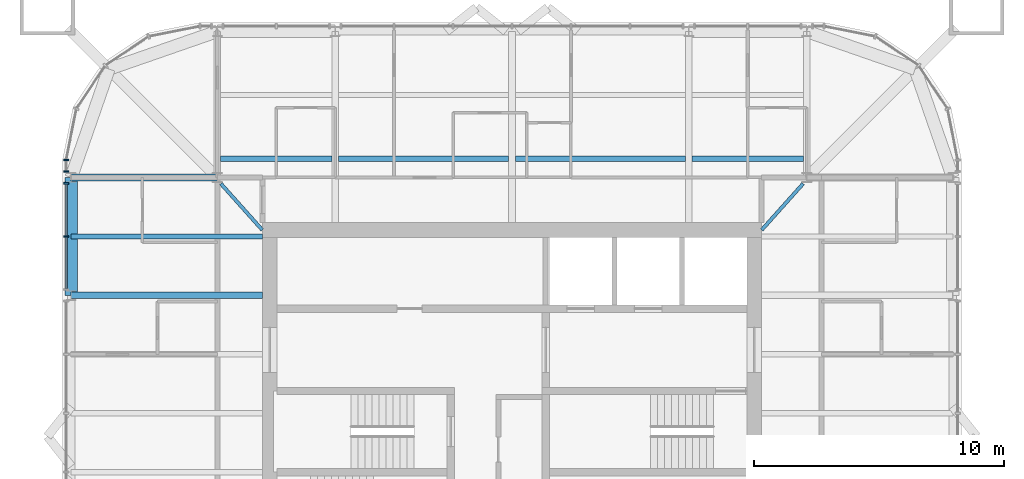
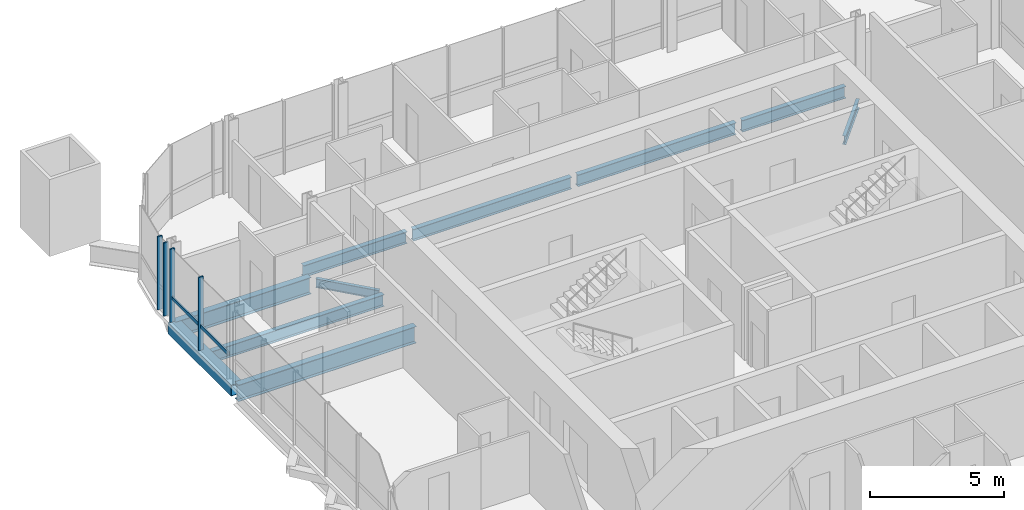
# One storey, part 4 of 17: 10 beams, 6 members, 2 elements without a shape of their own.
"""IFC4 building model written with IfcOpenShell, lengths in metres."""

from ifc_helpers import new_model, si_unit, direction, frame, origin, origin_2d, place, context, subcontext, project, spatial, rectangle, hollow_rectangle, i_section, extrude, material, material_profile, profile_set, type_object, element, aggregate, save


model = new_model("IFC4")

# Units and contexts
model_context = context("Model", 3, precision=1e-05, world=origin(), true_north=direction((0.0, 1.0)))
body_context = subcontext(model_context, "Body", "Model", "MODEL_VIEW")
ifc_project = project(units=[si_unit("LENGTHUNIT", "METRE"), si_unit("AREAUNIT", "SQUARE_METRE"), si_unit("VOLUMEUNIT", "CUBIC_METRE"), si_unit("PLANEANGLEUNIT", "RADIAN"), si_unit("MASSUNIT", "GRAM", prefix="KILO")], contexts=[model_context])

# Site, building, storey
site_placement = place(None, origin())
site = spatial("IfcSite", under=ifc_project, at=site_placement, CompositionType="ELEMENT")
building_placement = place(site_placement, origin())
building = spatial("IfcBuilding", under=site, at=building_placement, Name="Turquesa Mirador Hotel Tower", CompositionType="ELEMENT")
storey_placement = place(building_placement, frame((0.0, 0.0, 251.199951171875)))
storey = spatial("IfcBuildingStorey", under=building, at=storey_placement, Name="L68", CompositionType="ELEMENT", Elevation=251.199951171875)

# Beams
ifc_material_1 = material(Name="Steel ASTM A572 Grade 50", Category="steel")
ifc_material_profile_1 = material_profile(ifc_material_1, hollow_rectangle(XDim=0.5, YDim=0.5, WallThickness=0.01611328125, at=origin_2d()), Name="BOX500X500X16")
ifc_profile_set_1 = profile_set([ifc_material_profile_1], Name="Steel ASTM A572 Grade 50")
beam_type_1 = type_object("IfcBeamType", Name="BEAM BOX500X500X16", PredefinedType="BEAM", material=ifc_profile_set_1)
beam_1_placement = place(storey_placement, frame((37.35009765625, 52.080078125, -0.419921875), z_axis=(0.0, 1.0, 0.0), x_axis=(-1.0, 0.0, 0.0)))
element("IfcBeam", 1, at=beam_1_placement, inside=storey, type_object=beam_type_1, Name="EB-L68-W-R", PredefinedType="BEAM", context=body_context, shape_type="SweptSolid", body=[
    extrude(hollow_rectangle(XDim=0.5, YDim=0.5, WallThickness=0.01611328125, at=origin_2d()), origin(), (0.0, 0.0, 1.0), 4.719970703125),
])
ifc_material_2 = material(Name="Steel ASTM A992 Grade 50", Category="steel")
ifc_material_profile_2 = material_profile(ifc_material_2, i_section(OverallWidth=0.140380859375, OverallDepth=0.40380859375, WebThickness=0.007080078125, FlangeThickness=0.01123046875, at=origin_2d()), Name="W16X31")
ifc_profile_set_2 = profile_set([ifc_material_profile_2], Name="Steel ASTM A992 Grade 50")
beam_type_2 = type_object("IfcBeamType", Name="BEAM W16X31", PredefinedType="BEAM", material=ifc_profile_set_2)
for number, where, z_axis, x_axis, name in (
    (2, (66.656494140625, 56.55126953125, -0.371826171875), (-0.666806350186, -0.745231032198, 0.0), (0.745231032198, -0.666806350186, 0.0), "KT-L68-1"),
    (3, (43.343505859375, 56.55126953125, -0.371826171875), (0.666806350186, -0.745231032198, 0.0), (0.745231032198, 0.666806350186, 0.0), "KT-L68-2"),
):
    element("IfcBeam", number, at=place(storey_placement, frame(where, z_axis=z_axis, x_axis=x_axis)), inside=storey, type_object=beam_type_2, Name=name, PredefinedType="BEAM", context=body_context, shape_type="SweptSolid", body=[
        extrude(i_section(OverallWidth=0.140380859375, OverallDepth=0.40380859375, WebThickness=0.007080078125, FlangeThickness=0.01123046875, at=origin_2d()), origin(), (0.0, 0.0, 1.0), 2.484130859375),
    ])
ifc_material_3 = material(Name="Steel ASTM A992 Grade 50", Category="steel")
ifc_material_profile_3 = material_profile(ifc_material_3, i_section(OverallWidth=0.209228515625, OverallDepth=0.533447265625, WebThickness=0.01025390625, FlangeThickness=0.015625, at=origin_2d()), Name="W21X62")
ifc_profile_set_3 = profile_set([ifc_material_profile_3], Name="Steel ASTM A992 Grade 50")
beam_type_3 = type_object("IfcBeamType", Name="BEAM W21X62", PredefinedType="BEAM", material=ifc_profile_set_3)
beam_2_placement = place(storey_placement, frame((43.333251953125, 57.550048828125, -0.436767578125), z_axis=(1.0, 0.0, 0.0), x_axis=(0.0, 1.0, 0.0)))
element("IfcBeam", 4, at=beam_2_placement, inside=storey, type_object=beam_type_3, Name="IB-L68-N-1-0", PredefinedType="BEAM", context=body_context, shape_type="SweptSolid", body=[
    extrude(i_section(OverallWidth=0.209228515625, OverallDepth=0.533447265625, WebThickness=0.01025390625, FlangeThickness=0.015625, at=origin_2d()), origin(), (0.0, 0.0, 1.0), 4.453369140625),
])
for number, where, z_axis, x_axis, name in (
    (5, (48.053466796875, 57.550048828125, -0.436767578125), (1.0, 0.0, 0.0), (0.0, 1.0, 0.0), "IB-L68-N-1-1"),
    (6, (55.13330078125, 57.550048828125, -0.436767578125), (1.0, 0.0, 0.0), (0.0, 1.0, 0.0), "IB-L68-N-1-2"),
):
    element("IfcBeam", number, at=place(storey_placement, frame(where, z_axis=z_axis, x_axis=x_axis)), inside=storey, type_object=beam_type_3, Name=name, PredefinedType="BEAM", context=body_context, shape_type="SweptSolid", body=[
        extrude(i_section(OverallWidth=0.209228515625, OverallDepth=0.533447265625, WebThickness=0.01025390625, FlangeThickness=0.015625, at=origin_2d()), origin(), (0.0, 0.0, 1.0), 6.813232421875),
    ])
beam_3_placement = place(storey_placement, frame((62.21337890625, 57.550048828125, -0.436767578125), z_axis=(1.0, 0.0, 0.0), x_axis=(0.0, 1.0, 0.0)))
element("IfcBeam", 7, at=beam_3_placement, inside=storey, type_object=beam_type_3, Name="IB-L68-N-1-3", PredefinedType="BEAM", context=body_context, shape_type="SweptSolid", body=[
    extrude(i_section(OverallWidth=0.209228515625, OverallDepth=0.533447265625, WebThickness=0.01025390625, FlangeThickness=0.015625, at=origin_2d()), origin(), (0.0, 0.0, 1.0), 4.453369140625),
])
beam_4_placement = place(storey_placement, frame((37.35009765625, 54.43994140625, -0.436767578125), z_axis=(1.0, 0.0, 0.0), x_axis=(0.0, 1.0, 0.0)))
element("IfcBeam", 8, at=beam_4_placement, inside=storey, type_object=beam_type_3, Name="BM-L68-W-+9.44", PredefinedType="BEAM", context=body_context, shape_type="SweptSolid", body=[
    extrude(i_section(OverallWidth=0.209228515625, OverallDepth=0.533447265625, WebThickness=0.01025390625, FlangeThickness=0.015625, at=origin_2d()), origin(), (0.0, 0.0, 1.0), 7.64990234375),
])
ifc_material_4 = material(Name="Steel ASTM A992 Grade 50", Category="steel")
ifc_material_profile_4 = material_profile(ifc_material_4, i_section(OverallWidth=0.2666015625, OverallDepth=0.7568359375, WebThickness=0.013916015625, FlangeThickness=0.019287109375, at=origin_2d()), Name="W30X108")
ifc_profile_set_4 = profile_set([ifc_material_profile_4], Name="Steel ASTM A992 Grade 50")
beam_type_4 = type_object("IfcBeamType", Name="BEAM W30X108", PredefinedType="BEAM", material=ifc_profile_set_4)
beam_5_placement = place(storey_placement, frame((37.35009765625, 52.080078125, -0.54833984375), z_axis=(1.0, 0.0, 0.0), x_axis=(0.0, 1.0, 0.0)))
element("IfcBeam", 9, at=beam_5_placement, inside=storey, type_object=beam_type_4, Name="GD-L68-W-+7.08", PredefinedType="BEAM", context=body_context, shape_type="SweptSolid", body=[
    extrude(i_section(OverallWidth=0.2666015625, OverallDepth=0.7568359375, WebThickness=0.013916015625, FlangeThickness=0.019287109375, at=origin_2d()), origin(), (0.0, 0.0, 1.0), 7.64990234375),
])
beam_6_placement = place(storey_placement, frame((37.35009765625, 56.800048828125, -0.54833984375), z_axis=(1.0, 0.0, 0.0), x_axis=(0.0, 1.0, 0.0)))
element("IfcBeam", 10, at=beam_6_placement, inside=storey, type_object=beam_type_4, Name="GK-L68-W-+11.80", PredefinedType="BEAM", context=body_context, shape_type="SweptSolid", body=[
    extrude(i_section(OverallWidth=0.2666015625, OverallDepth=0.7568359375, WebThickness=0.013916015625, FlangeThickness=0.019287109375, at=origin_2d()), origin(), (0.0, 0.0, 1.0), 5.849853515625),
])

# Curtain wall, members
ifc_material_5 = material(Name="Aluminium extrusion", Category="aluminium")
curtain_wall_type = type_object("IfcCurtainWallType", Name="CW-4 SUITE FRITTED CURTAIN WALL", PredefinedType="USERDEFINED", material=ifc_material_5)
curtain_wall_1_placement = place(storey_placement, origin())
curtain_wall_1 = element("IfcCurtainWall", 11, at=curtain_wall_1_placement, inside=storey, type_object=curtain_wall_type, Name="CW-4 SUITE FRITTED CURTAIN WALL L68", ObjectType="CURTAIN WALL", PredefinedType="USERDEFINED")
ifc_material_6 = material(Name="Aluminium extrusion", Category="aluminium")
ifc_material_profile_5 = material_profile(ifc_material_6, rectangle(XDim=0.06494140625, YDim=0.199951171875, at=origin_2d()), Name="MULLION 65X200")
ifc_profile_set_5 = profile_set([ifc_material_profile_5], Name="Aluminium extrusion")
member_type_1 = type_object("IfcMemberType", Name="CW MULLION 65X200", PredefinedType="MULLION", material=ifc_profile_set_5)
member_1_placement = place(storey_placement, frame((37.14990234375, 57.5, 0.0), z_axis=(0.0, 0.0, 1.0), x_axis=(0.0, -1.0, 0.0)))
member_1 = element("IfcMember", 12, at=member_1_placement, type_object=member_type_1, Name="Mullion", PredefinedType="MULLION", context=body_context, shape_type="SweptSolid", body=[
    extrude(rectangle(XDim=0.06494140625, YDim=0.199951171875, at=origin_2d()), origin(), (0.0, 0.0, 1.0), 3.330078125),
])
member_2_placement = place(storey_placement, frame((37.14990234375, 57.033935546875, 0.0), z_axis=(0.0, 0.0, 1.0), x_axis=(0.0, -1.0, 0.0)))
member_2 = element("IfcMember", 13, at=member_2_placement, type_object=member_type_1, Name="Mullion", PredefinedType="MULLION", context=body_context, shape_type="SweptSolid", body=[
    extrude(rectangle(XDim=0.06494140625, YDim=0.199951171875, at=origin_2d()), origin(), (0.0, 0.0, 1.0), 3.330078125),
])
aggregate(curtain_wall_1, [member_1, member_2])

curtain_wall_2_placement = place(storey_placement, origin())
curtain_wall_2 = element("IfcCurtainWall", 14, at=curtain_wall_2_placement, inside=storey, type_object=curtain_wall_type, Name="CW-4 SUITE FRITTED CURTAIN WALL L68", ObjectType="CURTAIN WALL", PredefinedType="USERDEFINED")
member_3_placement = place(storey_placement, frame((37.14990234375, 56.566162109375, 0.0), z_axis=(0.0, 0.0, 1.0), x_axis=(0.0, -1.0, 0.0)))
member_3 = element("IfcMember", 15, at=member_3_placement, type_object=member_type_1, Name="Mullion", PredefinedType="MULLION", context=body_context, shape_type="SweptSolid", body=[
    extrude(rectangle(XDim=0.06494140625, YDim=0.199951171875, at=origin_2d()), origin(), (0.0, 0.0, 1.0), 3.330078125),
])
member_4_placement = place(storey_placement, frame((37.14990234375, 54.43994140625, 0.0), z_axis=(0.0, 0.0, 1.0), x_axis=(0.0, -1.0, 0.0)))
member_4 = element("IfcMember", 16, at=member_4_placement, type_object=member_type_1, Name="Mullion", PredefinedType="MULLION", context=body_context, shape_type="SweptSolid", body=[
    extrude(rectangle(XDim=0.06494140625, YDim=0.199951171875, at=origin_2d()), origin(), (0.0, 0.0, 1.0), 3.330078125),
])
ifc_material_7 = material(Name="Aluminium extrusion", Category="aluminium")
ifc_material_profile_6 = material_profile(ifc_material_7, rectangle(XDim=0.06494140625, YDim=0.14990234375, at=origin_2d()), Name="TRANSOM 65X150")
ifc_profile_set_6 = profile_set([ifc_material_profile_6], Name="Aluminium extrusion")
member_type_2 = type_object("IfcMemberType", Name="CW TRANSOM 65X150", PredefinedType="USERDEFINED", material=ifc_profile_set_6)
member_5_placement = place(storey_placement, frame((37.14990234375, 56.53369140625, 1.10009765625), z_axis=(0.0, -1.0, 0.0), x_axis=(1.0, 0.0, 0.0)))
member_5 = element("IfcMember", 17, at=member_5_placement, type_object=member_type_2, Name="Transom", ObjectType="TRANSOM", PredefinedType="USERDEFINED", context=body_context, shape_type="SweptSolid", body=[
    extrude(rectangle(XDim=0.06494140625, YDim=0.14990234375, at=origin_2d()), origin(), (0.0, 0.0, 1.0), 2.061279296875),
])
member_6_placement = place(storey_placement, frame((37.14990234375, 54.407470703125, 1.10009765625), z_axis=(0.0, -1.0, 0.0), x_axis=(1.0, 0.0, 0.0)))
member_6 = element("IfcMember", 18, at=member_6_placement, type_object=member_type_2, Name="Transom", ObjectType="TRANSOM", PredefinedType="USERDEFINED", context=body_context, shape_type="SweptSolid", body=[
    extrude(rectangle(XDim=0.06494140625, YDim=0.14990234375, at=origin_2d()), origin(), (0.0, 0.0, 1.0), 2.06103515625),
])
aggregate(curtain_wall_2, [member_3, member_4, member_5, member_6])

save(model, "model.ifc")
